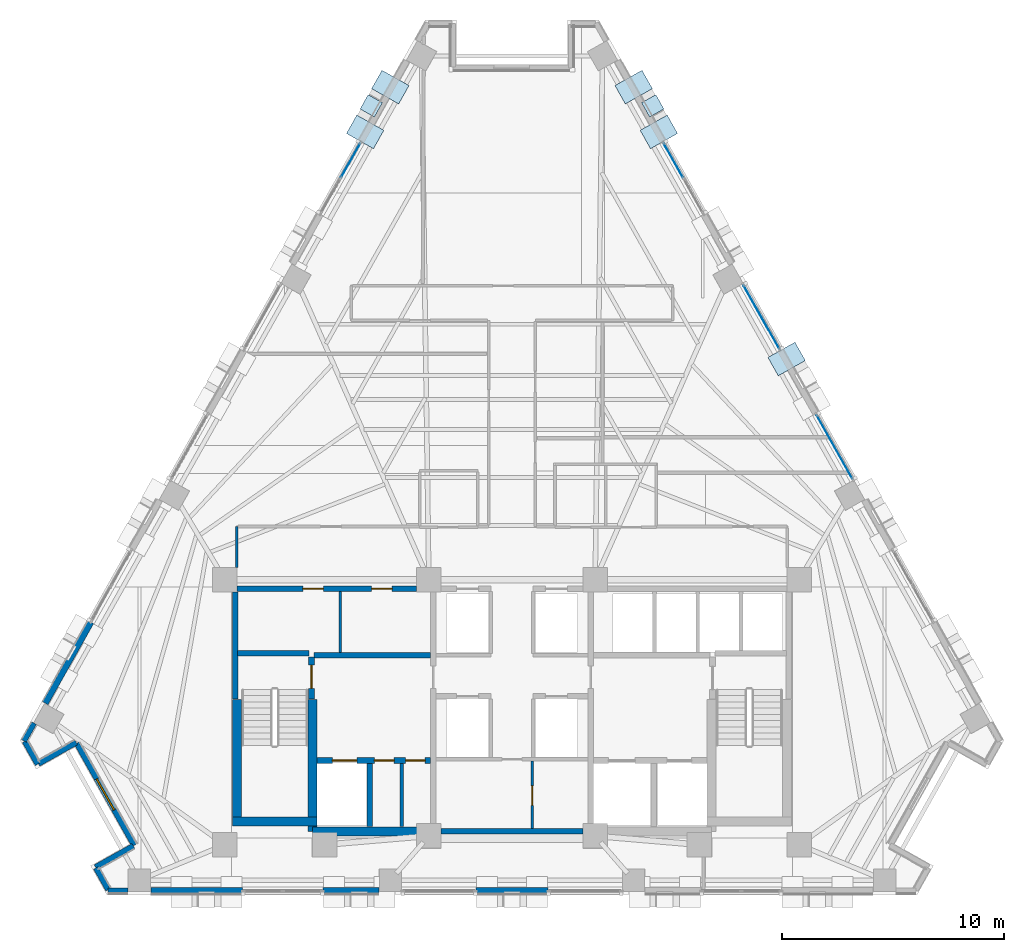
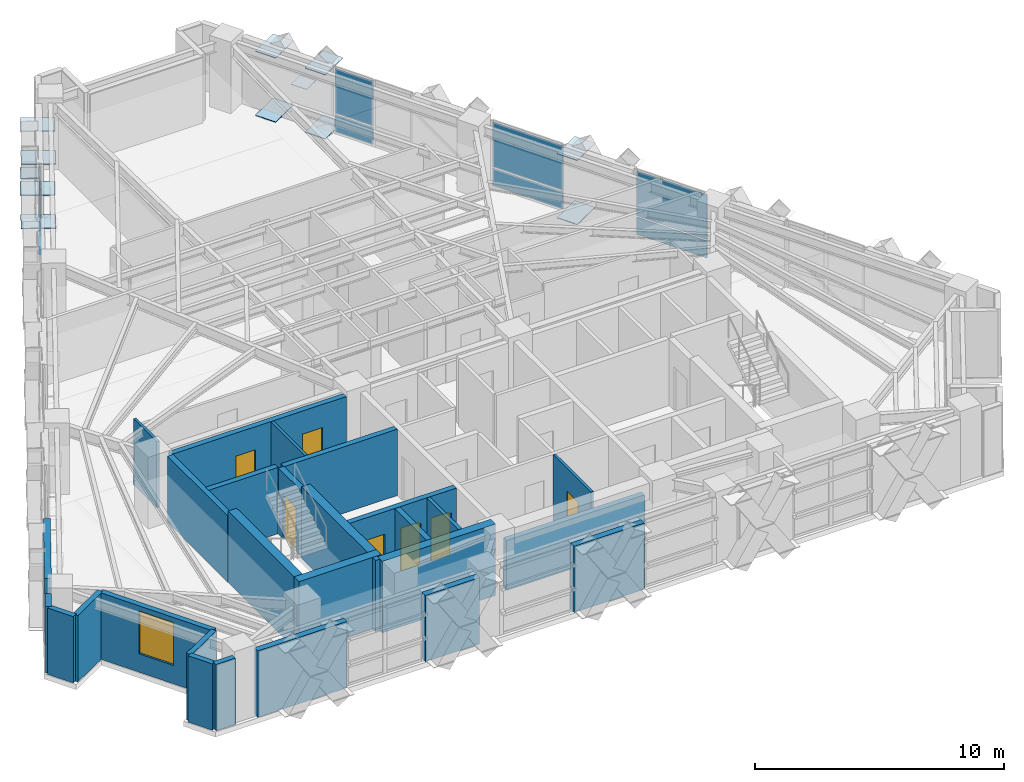
# One storey, part 7 of 14: 27 walls, 20 plates, 7 doors, 1 window, 8 openings, 4 elements without a shape of their own.
"""IFC4 building model written with IfcOpenShell, lengths in metres."""

from ifc_helpers import new_model, si_unit, direction, frame, frame_2d, origin, origin_2d, place, context, subcontext, project, spatial, rectangle, extrude, material, layer, layer_set, type_object, element, fill, aggregate, save


model = new_model("IFC4")

# Units and contexts
model_context = context("Model", 3, precision=1e-05, world=origin(), true_north=direction((0.0, 1.0)))
body_context = subcontext(model_context, "Body", "Model", "MODEL_VIEW")
ifc_project = project(units=[si_unit("LENGTHUNIT", "METRE"), si_unit("AREAUNIT", "SQUARE_METRE"), si_unit("VOLUMEUNIT", "CUBIC_METRE"), si_unit("PLANEANGLEUNIT", "RADIAN"), si_unit("MASSUNIT", "GRAM", prefix="KILO")], contexts=[model_context])

# Site, building, storey
site_placement = place(None, origin())
site = spatial("IfcSite", under=ifc_project, at=site_placement, CompositionType="ELEMENT")
building_placement = place(site_placement, origin())
building = spatial("IfcBuilding", under=site, at=building_placement, Name="Quenlor Broadcast Tower", CompositionType="ELEMENT")
storey_placement = place(building_placement, frame((0.0, 0.0, 165.0)))
storey = spatial("IfcBuildingStorey", under=building, at=storey_placement, Name="L45", CompositionType="ELEMENT", Elevation=165.0)

# Curtain wall, plates
ifc_material_1 = material(Name="Architectural Terracotta and Low-E Glazing", Category="masonry")
curtain_wall_type = type_object("IfcCurtainWallType", Name="Unitised Terracotta Curtain Wall System Z3", PredefinedType="NOTDEFINED", material=ifc_material_1)
curtain_wall_1_placement = place(storey_placement, origin())
curtain_wall_1 = element("IfcCurtainWall", 1, at=curtain_wall_1_placement, inside=storey, type_object=curtain_wall_type, Name="L45 Curtain Wall CW3 (L45-NEA-G1)", PredefinedType="NOTDEFINED")
ifc_material_2 = material(Name="Double Glazed Low-E Solar Glass", Category="glass")
ifc_layer_1 = layer(ifc_material_2, 0.028076171875)
ifc_layer_set_1 = layer_set([ifc_layer_1], Name="CW3 Double Glazed Vision Panel 28")
plate_type_1 = type_object("IfcPlateType", Name="CW3 Double Glazed Vision Panel 28", PredefinedType="CURTAIN_PANEL", material=ifc_layer_set_1)
plate_1_placement = place(storey_placement, frame((7.2763671875, 14.107421875, 0.06982421875), z_axis=(0.0, 0.0, 1.0), x_axis=(0.490270139949, -0.871570530637, 0.0)))
plate_1 = element("IfcPlate", 2, at=plate_1_placement, type_object=plate_type_1, Name="CW3 panel 1.1", PredefinedType="CURTAIN_PANEL", context=body_context, shape_type="SweptSolid", body=[
    extrude(rectangle(XDim=1.761962890625, YDim=0.028076171875, at=origin_2d()), origin(), (0.0, 0.0, 1.0), 0.844970703125),
])
plate_2_placement = place(storey_placement, frame((7.2763671875, 14.107421875, 0.98486328125), z_axis=(0.0, 0.0, 1.0), x_axis=(0.490270139949, -0.871570530637, 0.0)))
plate_2 = element("IfcPlate", 3, at=plate_2_placement, type_object=plate_type_1, Name="CW3 panel 1.2", PredefinedType="CURTAIN_PANEL", context=body_context, shape_type="SweptSolid", body=[
    extrude(rectangle(XDim=1.761962890625, YDim=0.028076171875, at=origin_2d()), origin(), (0.0, 0.0, 1.0), 2.195068359375),
])
aggregate(curtain_wall_1, [plate_1, plate_2])

curtain_wall_2_placement = place(storey_placement, origin())
curtain_wall_2 = element("IfcCurtainWall", 4, at=curtain_wall_2_placement, inside=storey, type_object=curtain_wall_type, Name="L45 Curtain Wall CW3 (L45-NE-G1)", PredefinedType="NOTDEFINED")
plate_3_placement = place(storey_placement, frame((11.250244140625, 7.04248046875, 0.06982421875), z_axis=(0.0, 0.0, 1.0), x_axis=(0.490255687418, -0.871578660222, 0.0)))
plate_3 = element("IfcPlate", 5, at=plate_3_placement, type_object=plate_type_1, Name="CW3 panel 1.1", PredefinedType="CURTAIN_PANEL", context=body_context, shape_type="SweptSolid", body=[
    extrude(rectangle(XDim=3.280517578125, YDim=0.028076171875, at=origin_2d()), origin(), (0.0, 0.0, 1.0), 0.844970703125),
])
plate_4_placement = place(storey_placement, frame((11.250244140625, 7.04248046875, 0.98486328125), z_axis=(0.0, 0.0, 1.0), x_axis=(0.490255687418, -0.871578660222, 0.0)))
plate_4 = element("IfcPlate", 6, at=plate_4_placement, type_object=plate_type_1, Name="CW3 panel 1.2", PredefinedType="CURTAIN_PANEL", context=body_context, shape_type="SweptSolid", body=[
    extrude(rectangle(XDim=3.280517578125, YDim=0.028076171875, at=origin_2d()), origin(), (0.0, 0.0, 1.0), 2.195068359375),
])
aggregate(curtain_wall_2, [plate_3, plate_4])

curtain_wall_3_placement = place(storey_placement, origin())
curtain_wall_3 = element("IfcCurtainWall", 7, at=curtain_wall_3_placement, inside=storey, type_object=curtain_wall_type, Name="L45 Curtain Wall CW3 (L45-NE-G2)", PredefinedType="NOTDEFINED")
plate_5_placement = place(storey_placement, frame((14.544677734375, 1.18603515625, 0.06982421875), z_axis=(0.0, 0.0, 1.0), x_axis=(0.490268180048, -0.871571633105, 0.0)))
plate_5 = element("IfcPlate", 8, at=plate_5_placement, type_object=plate_type_1, Name="CW3 panel 1.1", PredefinedType="CURTAIN_PANEL", context=body_context, shape_type="SweptSolid", body=[
    extrude(rectangle(XDim=3.2802734375, YDim=0.028076171875, at=origin_2d()), origin(), (0.0, 0.0, 1.0), 0.844970703125),
])
plate_6_placement = place(storey_placement, frame((14.544677734375, 1.18603515625, 0.98486328125), z_axis=(0.0, 0.0, 1.0), x_axis=(0.490268180048, -0.871571633105, 0.0)))
plate_6 = element("IfcPlate", 9, at=plate_6_placement, type_object=plate_type_1, Name="CW3 panel 1.2", PredefinedType="CURTAIN_PANEL", context=body_context, shape_type="SweptSolid", body=[
    extrude(rectangle(XDim=3.2802734375, YDim=0.028076171875, at=origin_2d()), origin(), (0.0, 0.0, 1.0), 2.195068359375),
])
aggregate(curtain_wall_3, [plate_5, plate_6])

curtain_wall_4_placement = place(storey_placement, origin())
curtain_wall_4 = element("IfcCurtainWall", 10, at=curtain_wall_4_placement, inside=storey, type_object=curtain_wall_type, Name="L45 Curtain Wall CW3 (L45-NWC-G1)", PredefinedType="NOTDEFINED")
plate_7_placement = place(storey_placement, frame((-7.2763671875, 14.107421875, 0.06982421875), z_axis=(0.0, 0.0, 1.0), x_axis=(0.490270139949, 0.871570530637, 0.0)))
plate_7 = element("IfcPlate", 11, at=plate_7_placement, type_object=plate_type_1, Name="CW3 panel 2.1", PredefinedType="CURTAIN_PANEL", context=body_context, shape_type="SweptSolid", body=[
    extrude(rectangle(XDim=1.761962890625, YDim=0.028076171875, at=origin_2d()), origin(), (0.0, 0.0, 1.0), 0.844970703125),
])
plate_8_placement = place(storey_placement, frame((-7.2763671875, 14.107421875, 0.98486328125), z_axis=(0.0, 0.0, 1.0), x_axis=(0.490270139949, 0.871570530637, 0.0)))
plate_8 = element("IfcPlate", 12, at=plate_8_placement, type_object=plate_type_1, Name="CW3 panel 2.2", PredefinedType="CURTAIN_PANEL", context=body_context, shape_type="SweptSolid", body=[
    extrude(rectangle(XDim=1.761962890625, YDim=0.028076171875, at=origin_2d()), origin(), (0.0, 0.0, 1.0), 2.195068359375),
])
aggregate(curtain_wall_4, [plate_7, plate_8])

# Plates
ifc_material_3 = material(Name="Steel S355", Category="steel")
ifc_layer_2 = layer(ifc_material_3, 0.028076171875)
ifc_layer_set_2 = layer_set([ifc_layer_2], Name="Perimeter Lattice Node Steel S355 Cap Plate 740x740x28")
plate_type_2 = type_object("IfcPlateType", Name="Perimeter Lattice Node Steel S355 Cap Plate 740x740x28", PredefinedType="USERDEFINED", material=ifc_layer_set_2)
for number, where, z_axis, x_axis, name in (
    (13, (6.345703125, 16.567626953125, 1.61572265625), (0.0, 0.0, 1.0), (0.490295412055, -0.871556314255, 0.0), "L45 Diamond Lattice Crossing Node NE-C1"),
    (14, (-6.345703125, 16.567626953125, 1.61572265625), (0.0, 0.0, 1.0), (0.490295412055, 0.871556314255, 0.0), "L45 Diamond Lattice Crossing Node NW-C5"),
):
    element("IfcPlate", number, at=place(storey_placement, frame(where, z_axis=z_axis, x_axis=x_axis)), inside=storey, type_object=plate_type_2, Name=name, ObjectType="CAP PLATE", PredefinedType="USERDEFINED", context=body_context, shape_type="SweptSolid", body=[
        extrude(rectangle(XDim=0.739990234375, YDim=0.739990234375, at=origin_2d()), origin(), (0.0, 0.0, 1.0), 0.028076171875),
    ])
ifc_material_4 = material(Name="Steel S355", Category="steel")
ifc_layer_3 = layer(ifc_material_4, 0.035888671875)
ifc_layer_set_3 = layer_set([ifc_layer_3], Name="Transfer Truss Steel S355 Gusset Node Plate 1400x950x36")
plate_type_3 = type_object("IfcPlateType", Name="Transfer Truss Steel S355 Gusset Node Plate 1400x950x36", PredefinedType="SHEET", material=ifc_layer_set_3)
for number, where, z_axis, x_axis, name in (
    (15, (5.48583984375, 17.412841796875, 0.0419921875), (0.0, 0.0, 1.0), (0.871556314255, 0.490295412055, 0.0), "L45 Lattice Tie Gusset Node NE-B1"),
    (16, (6.621337890625, 15.39404296875, 3.18212890625), (0.0, 0.0, 1.0), (0.871556314255, 0.490295412055, 0.0), "L45 Lattice Tie Gusset Node NE-T2"),
    (17, (6.621337890625, 15.39404296875, 0.0419921875), (0.0, 0.0, 1.0), (0.871556314255, 0.490295412055, 0.0), "L45 Lattice Tie Gusset Node NE-B2"),
    (18, (5.48583984375, 17.412841796875, 3.18212890625), (0.0, 0.0, 1.0), (0.871556314255, 0.490295412055, 0.0), "L45 Lattice Tie Gusset Node NE-T1"),
    (19, (12.382080078125, 5.153076171875, 0.0419921875), (0.0, 0.0, 1.0), (0.871556314255, 0.490295412055, 0.0), "L45 Lattice Tie Gusset Node NE-B7"),
    (20, (12.382080078125, 5.153076171875, 3.18212890625), (0.0, 0.0, 1.0), (0.871556314255, 0.490295412055, 0.0), "L45 Lattice Tie Gusset Node NE-T7"),
    (21, (-6.621337890625, 15.39404296875, 0.0419921875), (0.0, 0.0, 1.0), (-0.871556314255, 0.490295412055, 0.0), "L45 Lattice Tie Gusset Node NW-B13"),
    (22, (-5.48583984375, 17.412841796875, 3.18212890625), (0.0, 0.0, 1.0), (-0.871556314255, 0.490295412055, 0.0), "L45 Lattice Tie Gusset Node NW-T14"),
    (23, (-5.48583984375, 17.412841796875, 0.0419921875), (0.0, 0.0, 1.0), (-0.871556314255, 0.490295412055, 0.0), "L45 Lattice Tie Gusset Node NW-B14"),
    (24, (-6.621337890625, 15.39404296875, 3.18212890625), (0.0, 0.0, 1.0), (-0.871556314255, 0.490295412055, 0.0), "L45 Lattice Tie Gusset Node NW-T13"),
):
    element("IfcPlate", number, at=place(storey_placement, frame(where, z_axis=z_axis, x_axis=x_axis)), inside=storey, type_object=plate_type_3, Name=name, PredefinedType="SHEET", context=body_context, shape_type="SweptSolid", body=[
        extrude(rectangle(XDim=1.39990234375, YDim=0.949951171875, at=origin_2d()), origin(), (0.0, 0.0, 1.0), 0.035888671875),
    ])

# Walls
ifc_material_5 = material(Name="Concrete C50/60", Category="concrete")
ifc_layer_4 = layer(ifc_material_5, 0.39990234375)
ifc_layer_set_4 = layer_set([ifc_layer_4], Name="Core Concrete C50/60 Shear Wall 400")
wall_type_1 = type_object("IfcWallType", Name="Core Concrete C50/60 Shear Wall 400", PredefinedType="SHEAR", material=ifc_layer_set_4)
wall_1_placement = place(storey_placement, frame((-12.60009765625, -15.699951171875, 0.0), z_axis=(0.0, 0.0, 1.0), x_axis=(1.0, 0.0, 0.0)))
element("IfcWall", 25, at=wall_1_placement, inside=storey, type_object=wall_type_1, Name="L45 Core Shear Wall WS-W1", PredefinedType="SHEAR", context=body_context, shape_type="SweptSolid", body=[
    extrude(rectangle(XDim=3.800048828125, YDim=0.39990234375, at=frame_2d((1.89990234375, 0.0))), origin(), (0.0, 0.0, 1.0), 3.5),
])
wall_2_placement = place(storey_placement, frame((-9.0, -16.14990234375, 0.0), z_axis=(0.0, 0.0, 1.0), x_axis=(1.0, 0.0, 0.0)))
element("IfcWall", 26, at=wall_2_placement, inside=storey, type_object=wall_type_1, Name="L45 Core Shear Wall WS-W2", PredefinedType="SHEAR", context=body_context, shape_type="SweptSolid", body=[
    extrude(rectangle(XDim=5.25, YDim=0.39990234375, at=frame_2d((2.625, 0.0))), origin(), (0.0, 0.0, 1.0), 3.5),
])
wall_3_placement = place(storey_placement, frame((-12.39990234375, -15.699951171875, 0.0), z_axis=(0.0, 0.0, 1.0), x_axis=(0.0, 1.0, 0.0)))
element("IfcWall", 27, at=wall_3_placement, inside=storey, type_object=wall_type_1, Name="L45 Core Shear Wall WF-W", PredefinedType="SHEAR", context=body_context, shape_type="SweptSolid", body=[
    extrude(rectangle(XDim=5.5, YDim=0.39990234375, at=frame_2d((2.75, 0.0))), origin(), (0.0, 0.0, 1.0), 3.5),
])
wall_4_placement = place(storey_placement, frame((-9.0, -16.14990234375, 0.0), z_axis=(0.0, 0.0, 1.0), x_axis=(0.0, 1.0, 0.0)))
element("IfcWall", 28, at=wall_4_placement, inside=storey, type_object=wall_type_1, Name="L45 Core Shear Wall WI-W", PredefinedType="SHEAR", context=body_context, shape_type="SweptSolid", body=[
    extrude(rectangle(XDim=5.949951171875, YDim=0.39990234375, at=frame_2d((2.97509765625, 0.0))), origin(), (0.0, 0.0, 1.0), 3.5),
])

# Wall, opening, door
ifc_material_6 = material(Name="Concrete C40/50", Category="concrete")
ifc_layer_5 = layer(ifc_material_6, 0.25)
ifc_layer_set_5 = layer_set([ifc_layer_5], Name="Fire Rated Concrete C40/50 Core Wall 250")
wall_type_2 = type_object("IfcWallType", Name="Fire Rated Concrete C40/50 Core Wall 250", PredefinedType="PARTITIONING", material=ifc_layer_set_5)
wall_5_placement = place(storey_placement, frame((-9.0400390625, -10.179931640625, 0.0), z_axis=(0.0, 0.0, 1.0), x_axis=(0.0, 1.0, 0.0)))
wall_5 = element("IfcWall", 29, at=wall_5_placement, inside=storey, type_object=wall_type_2, Name="L45 Interior Wall CW-ST1-DR", PredefinedType="PARTITIONING", context=body_context, shape_type="SweptSolid", body=[
    extrude(rectangle(XDim=1.89990234375, YDim=0.25, at=frame_2d((0.949951171875, 0.0))), origin(), (0.0, 0.0, 1.0), 3.25),
])
opening_1_placement = place(wall_5_placement, frame((0.47998046875, 0.0, 0.0)))
opening_1 = element("IfcOpeningElement", 30, at=opening_1_placement, cuts=wall_5, Name="Opening FD-1", PredefinedType="OPENING", context=body_context, shape_type="SweptSolid", body=[
    extrude(rectangle(XDim=1.050048828125, YDim=2.14990234375, at=frame_2d((0.52490234375, 1.074951171875))), frame((0.0, 0.135009765625, 0.0), z_axis=(0.0, -1.0, 0.0), x_axis=(1.0, 0.0, 0.0)), (0.0, 0.0, 1.0), 0.27001953125),
])
ifc_material_7 = material(Name="Fire Rated Steel Door Leaf", Category="steel")
door_type_1 = type_object("IfcDoorType", Name="Fire Isolated Stair Door 1050x2150", OperationType="NOTDEFINED", PredefinedType="DOOR", material=ifc_material_7)
door_1_placement = place(opening_1_placement, origin())
door_1 = element("IfcDoor", 31, at=door_1_placement, inside=storey, type_object=door_type_1, Name="L45 Door DR-ST1", OperationType="SINGLE_SWING_LEFT", OverallHeight=2.14990234375, OverallWidth=1.050048828125, PredefinedType="DOOR", context=body_context, shape_type="SweptSolid", body=[
    extrude(rectangle(XDim=1.050048828125, YDim=2.14990234375, at=frame_2d((0.52490234375, 1.074951171875))), frame((0.0, 0.02490234375, 0.0), z_axis=(0.0, -1.0, 0.0), x_axis=(1.0, 0.0, 0.0)), (0.0, 0.0, 1.0), 0.050048828125),
])
fill(opening_1, door_1)

# Walls
wall_6_placement = place(storey_placement, frame((-12.3798828125, -8.1201171875, 0.0), z_axis=(0.0, 0.0, 1.0), x_axis=(1.0, 0.0, 0.0)))
element("IfcWall", 32, at=wall_6_placement, inside=storey, type_object=wall_type_2, Name="L45 Interior Wall CW-ST1-N", PredefinedType="PARTITIONING", context=body_context, shape_type="SweptSolid", body=[
    extrude(rectangle(XDim=3.219970703125, YDim=0.25, at=frame_2d((1.60986328125, 0.0))), origin(), (0.0, 0.0, 1.0), 3.25),
])
wall_7_placement = place(storey_placement, frame((-12.47998046875, -10.179931640625, 0.0), z_axis=(0.0, 0.0, 1.0), x_axis=(0.0, 1.0, 0.0)))
element("IfcWall", 33, at=wall_7_placement, inside=storey, type_object=wall_type_2, Name="L45 Interior Wall CW-ST1-W2", PredefinedType="PARTITIONING", context=body_context, shape_type="SweptSolid", body=[
    extrude(rectangle(XDim=4.827880859375, YDim=0.25, at=frame_2d((2.4140625, 0.0))), origin(), (0.0, 0.0, 1.0), 3.25),
])

# Wall, openings, doors
wall_8_placement = place(storey_placement, frame((-8.798095703125, -12.949951171875, 0.0), z_axis=(0.0, 0.0, 1.0), x_axis=(1.0, 0.0, 0.0)))
wall_8 = element("IfcWall", 34, at=wall_8_placement, inside=storey, type_object=wall_type_2, Name="L45 Interior Wall CW-FFW-S", PredefinedType="PARTITIONING", context=body_context, shape_type="SweptSolid", body=[
    extrude(rectangle(XDim=5.1181640625, YDim=0.25, at=frame_2d((2.55908203125, 0.0))), origin(), (0.0, 0.0, 1.0), 3.25),
])
opening_2_placement = place(wall_8_placement, frame((0.697998046875, 0.0, 0.0)))
opening_2 = element("IfcOpeningElement", 35, at=opening_2_placement, cuts=wall_8, Name="Opening LD-FFL-1", PredefinedType="OPENING", context=body_context, shape_type="SweptSolid", body=[
    extrude(rectangle(XDim=1.10009765625, YDim=2.14990234375, at=frame_2d((0.550048828125, 1.074951171875))), frame((0.0, 0.135009765625, 0.0), z_axis=(0.0, -1.0, 0.0), x_axis=(1.0, 0.0, 0.0)), (0.0, 0.0, 1.0), 0.27001953125),
])
opening_3_placement = place(wall_8_placement, frame((2.597900390625, 0.0, 0.0)))
opening_3 = element("IfcOpeningElement", 36, at=opening_3_placement, cuts=wall_8, Name="Opening TD-1", PredefinedType="OPENING", context=body_context, shape_type="SweptSolid", body=[
    extrude(rectangle(XDim=0.8798828125, YDim=2.10009765625, at=frame_2d((0.43994140625, 1.050048828125))), frame((0.0, 0.135009765625, 0.0), z_axis=(0.0, -1.0, 0.0), x_axis=(1.0, 0.0, 0.0)), (0.0, 0.0, 1.0), 0.27001953125),
])
opening_4_placement = place(wall_8_placement, frame((3.998046875, 0.0, 0.0)))
opening_4 = element("IfcOpeningElement", 37, at=opening_4_placement, cuts=wall_8, Name="Opening TD-1", PredefinedType="OPENING", context=body_context, shape_type="SweptSolid", body=[
    extrude(rectangle(XDim=0.8798828125, YDim=2.10009765625, at=frame_2d((0.43994140625, 1.050048828125))), frame((0.0, 0.135009765625, 0.0), z_axis=(0.0, -1.0, 0.0), x_axis=(1.0, 0.0, 0.0)), (0.0, 0.0, 1.0), 0.27001953125),
])
ifc_material_8 = material(Name="Brushed Stainless Steel", Category="steel")
door_type_2 = type_object("IfcDoorType", Name="Emergency Lift Sliding Landing Door 1100x2150", OperationType="NOTDEFINED", PredefinedType="DOOR", material=ifc_material_8)
door_2_placement = place(opening_2_placement, origin())
door_2 = element("IfcDoor", 38, at=door_2_placement, inside=storey, type_object=door_type_2, Name="L45 Door LD-FFL-1", OperationType="SLIDING_TO_LEFT", OverallHeight=2.14990234375, OverallWidth=1.10009765625, PredefinedType="DOOR", context=body_context, shape_type="SweptSolid", body=[
    extrude(rectangle(XDim=1.10009765625, YDim=2.14990234375, at=frame_2d((0.550048828125, 1.074951171875))), frame((0.0, 0.02490234375, 0.0), z_axis=(0.0, -1.0, 0.0), x_axis=(1.0, 0.0, 0.0)), (0.0, 0.0, 1.0), 0.050048828125),
])
fill(opening_2, door_2)
ifc_material_9 = material(Name="Fire Rated Steel Access Panel", Category="steel")
door_type_3 = type_object("IfcDoorType", Name="Riser Shaft Rated Access Trapdoor 880x2100", OperationType="NOTDEFINED", PredefinedType="TRAPDOOR", material=ifc_material_9)
door_3_placement = place(opening_3_placement, origin())
door_3 = element("IfcDoor", 39, at=door_3_placement, inside=storey, type_object=door_type_3, Name="L45 Door DR-ELR", OperationType="SINGLE_SWING_LEFT", OverallHeight=2.10009765625, OverallWidth=0.8798828125, PredefinedType="TRAPDOOR", context=body_context, shape_type="SweptSolid", body=[
    extrude(rectangle(XDim=0.8798828125, YDim=2.10009765625, at=frame_2d((0.43994140625, 1.050048828125))), frame((0.0, 0.02490234375, 0.0), z_axis=(0.0, -1.0, 0.0), x_axis=(1.0, 0.0, 0.0)), (0.0, 0.0, 1.0), 0.050048828125),
])
fill(opening_3, door_3)
door_4_placement = place(opening_4_placement, origin())
door_4 = element("IfcDoor", 40, at=door_4_placement, inside=storey, type_object=door_type_3, Name="L45 Door DR-CMR", OperationType="SINGLE_SWING_RIGHT", OverallHeight=2.10009765625, OverallWidth=0.8798828125, PredefinedType="TRAPDOOR", context=body_context, shape_type="SweptSolid", body=[
    extrude(rectangle(XDim=0.8798828125, YDim=2.10009765625, at=frame_2d((0.43994140625, 1.050048828125))), frame((0.0, 0.02490234375, 0.0), z_axis=(0.0, -1.0, 0.0), x_axis=(1.0, 0.0, 0.0)), (0.0, 0.0, 1.0), 0.050048828125),
])
fill(opening_4, door_4)

# Walls
wall_9_placement = place(storey_placement, frame((-6.419921875, -15.919921875, 0.0), z_axis=(0.0, 0.0, 1.0), x_axis=(0.0, 1.0, 0.0)))
element("IfcWall", 41, at=wall_9_placement, inside=storey, type_object=wall_type_2, Name="L45 Interior Wall CW-FF1-E", PredefinedType="PARTITIONING", context=body_context, shape_type="SweptSolid", body=[
    extrude(rectangle(XDim=2.829833984375, YDim=0.25, at=frame_2d((1.4150390625, 0.0))), origin(), (0.0, 0.0, 1.0), 3.25),
])
wall_10_placement = place(storey_placement, frame((-8.919921875, -8.199951171875, 0.0), z_axis=(0.0, 0.0, 1.0), x_axis=(1.0, 0.0, 0.0)))
element("IfcWall", 42, at=wall_10_placement, inside=storey, type_object=wall_type_2, Name="L45 Interior Wall CW-FFW-N", PredefinedType="PARTITIONING", context=body_context, shape_type="SweptSolid", body=[
    extrude(rectangle(XDim=5.239990234375, YDim=0.25, at=frame_2d((2.6201171875, 0.0))), origin(), (0.0, 0.0, 1.0), 3.25),
])

# Wall, openings, doors
wall_11_placement = place(storey_placement, frame((-12.39794921875, -5.199951171875, 0.0), z_axis=(0.0, 0.0, 1.0), x_axis=(1.0, 0.0, 0.0)))
wall_11 = element("IfcWall", 43, at=wall_11_placement, inside=storey, type_object=wall_type_2, Name="L45 Interior Wall CW-N-W", PredefinedType="PARTITIONING", context=body_context, shape_type="SweptSolid", body=[
    extrude(rectangle(XDim=8.095947265625, YDim=0.25, at=frame_2d((4.0478515625, 0.0))), origin(), (0.0, 0.0, 1.0), 3.25),
])
opening_5_placement = place(wall_11_placement, frame((2.968017578125, 0.0, 0.0)))
opening_5 = element("IfcOpeningElement", 44, at=opening_5_placement, cuts=wall_11, Name="Opening ID-1", PredefinedType="OPENING", context=body_context, shape_type="SweptSolid", body=[
    extrude(rectangle(XDim=0.919921875, YDim=2.1201171875, at=frame_2d((0.4599609375, 1.06005859375))), frame((0.0, 0.135009765625, 0.0), z_axis=(0.0, -1.0, 0.0), x_axis=(1.0, 0.0, 0.0)), (0.0, 0.0, 1.0), 0.27001953125),
])
opening_6_placement = place(wall_11_placement, frame((6.068115234375, 0.0, 0.0)))
opening_6 = element("IfcOpeningElement", 45, at=opening_6_placement, cuts=wall_11, Name="Opening ID-1", PredefinedType="OPENING", context=body_context, shape_type="SweptSolid", body=[
    extrude(rectangle(XDim=0.919921875, YDim=2.1201171875, at=frame_2d((0.4599609375, 1.06005859375))), frame((0.0, 0.135009765625, 0.0), z_axis=(0.0, -1.0, 0.0), x_axis=(1.0, 0.0, 0.0)), (0.0, 0.0, 1.0), 0.27001953125),
])
ifc_material_10 = material(Name="Solid Core Timber Oak", Category="wood")
door_type_4 = type_object("IfcDoorType", Name="Single Leaf Timber Office Door 920x2120", OperationType="NOTDEFINED", PredefinedType="DOOR", material=ifc_material_10)
door_5_placement = place(opening_5_placement, origin())
door_5 = element("IfcDoor", 46, at=door_5_placement, inside=storey, type_object=door_type_4, Name="L45 Door DR-RCL1", OperationType="SINGLE_SWING_LEFT", OverallHeight=2.1201171875, OverallWidth=0.919921875, PredefinedType="DOOR", context=body_context, shape_type="SweptSolid", body=[
    extrude(rectangle(XDim=0.919921875, YDim=2.1201171875, at=frame_2d((0.4599609375, 1.06005859375))), frame((0.0, 0.02490234375, 0.0), z_axis=(0.0, -1.0, 0.0), x_axis=(1.0, 0.0, 0.0)), (0.0, 0.0, 1.0), 0.050048828125),
])
fill(opening_5, door_5)
door_6_placement = place(opening_6_placement, origin())
door_6 = element("IfcDoor", 47, at=door_6_placement, inside=storey, type_object=door_type_4, Name="L45 Door DR-RCL2", OperationType="SINGLE_SWING_RIGHT", OverallHeight=2.1201171875, OverallWidth=0.919921875, PredefinedType="DOOR", context=body_context, shape_type="SweptSolid", body=[
    extrude(rectangle(XDim=0.919921875, YDim=2.1201171875, at=frame_2d((0.4599609375, 1.06005859375))), frame((0.0, 0.02490234375, 0.0), z_axis=(0.0, -1.0, 0.0), x_axis=(1.0, 0.0, 0.0)), (0.0, 0.0, 1.0), 0.050048828125),
])
fill(opening_6, door_6)

# Walls
wall_12_placement = place(storey_placement, frame((-3.197998046875, -16.14990234375, 0.0), z_axis=(0.0, 0.0, 1.0), x_axis=(1.0, 0.0, 0.0)))
element("IfcWall", 48, at=wall_12_placement, inside=storey, type_object=wall_type_2, Name="L45 Interior Wall CW-MS-S", PredefinedType="PARTITIONING", context=body_context, shape_type="SweptSolid", body=[
    extrude(rectangle(XDim=6.39599609375, YDim=0.25, at=frame_2d((3.197998046875, 0.0))), origin(), (0.0, 0.0, 1.0), 2.449951171875),
])
ifc_material_11 = material(Name="Gypsum Fireboard Partition", Category="other")
ifc_layer_6 = layer(ifc_material_11, 0.159912109375)
ifc_layer_set_6 = layer_set([ifc_layer_6], Name="Fire Rated Shaft and Corridor Partition 160")
wall_type_3 = type_object("IfcWallType", Name="Fire Rated Shaft and Corridor Partition 160", PredefinedType="PARTITIONING", material=ifc_layer_set_6)
wall_13_placement = place(storey_placement, frame((-4.97998046875, -15.919921875, 0.0), z_axis=(0.0, 0.0, 1.0), x_axis=(0.0, 1.0, 0.0)))
element("IfcWall", 49, at=wall_13_placement, inside=storey, type_object=wall_type_3, Name="L45 Interior Wall CW-ELR-E", PredefinedType="PARTITIONING", context=body_context, shape_type="SweptSolid", body=[
    extrude(rectangle(XDim=2.829833984375, YDim=0.159912109375, at=frame_2d((1.4150390625, 0.0))), origin(), (0.0, 0.0, 1.0), 3.25),
])
ifc_material_12 = material(Name="Gypsum Plasterboard Partition", Category="other")
ifc_layer_7 = layer(ifc_material_12, 0.1201171875)
ifc_layer_set_7 = layer_set([ifc_layer_7], Name="Standard Office Partition 120")
wall_type_4 = type_object("IfcWallType", Name="Standard Office Partition 120", PredefinedType="PARTITIONING", material=ifc_layer_set_7)
wall_14_placement = place(storey_placement, frame((-7.75, -8.072998046875, 0.0), z_axis=(0.0, 0.0, 1.0), x_axis=(0.0, 1.0, 0.0)))
element("IfcWall", 50, at=wall_14_placement, inside=storey, type_object=wall_type_4, Name="L45 Interior Wall CW-RCL-MID", PredefinedType="PARTITIONING", context=body_context, shape_type="SweptSolid", body=[
    extrude(rectangle(XDim=2.73291015625, YDim=0.1201171875, at=frame_2d((1.366455078125, 0.0))), origin(), (0.0, 0.0, 1.0), 3.25),
])

# Wall, opening, door
wall_15_placement = place(storey_placement, frame((0.909912109375, -16.02001953125, 0.0), z_axis=(0.0, 0.0, 1.0), x_axis=(0.0, 1.0, 0.0)))
wall_15 = element("IfcWall", 51, at=wall_15_placement, inside=storey, type_object=wall_type_4, Name="L45 Interior Wall CW-CSV-E2", PredefinedType="PARTITIONING", context=body_context, shape_type="SweptSolid", body=[
    extrude(rectangle(XDim=3.0380859375, YDim=0.1201171875, at=frame_2d((1.51904296875, 0.0))), origin(), (0.0, 0.0, 1.0), 3.25),
])
opening_7_placement = place(wall_15_placement, frame((1.050048828125, 0.0, 0.0)))
opening_7 = element("IfcOpeningElement", 52, at=opening_7_placement, cuts=wall_15, Name="Opening ID-4", PredefinedType="OPENING", context=body_context, shape_type="SweptSolid", body=[
    extrude(rectangle(XDim=0.8798828125, YDim=2.1201171875, at=frame_2d((0.43994140625, 1.06005859375))), frame((0.0, 0.070068359375, 0.0), z_axis=(0.0, -1.0, 0.0), x_axis=(1.0, 0.0, 0.0)), (0.0, 0.0, 1.0), 0.14013671875),
])
ifc_material_13 = material(Name="Solid Core Timber Oak", Category="wood")
door_type_5 = type_object("IfcDoorType", Name="Service Closet Timber Door 880x2120", OperationType="NOTDEFINED", PredefinedType="DOOR", material=ifc_material_13)
door_7_placement = place(opening_7_placement, origin())
door_7 = element("IfcDoor", 53, at=door_7_placement, inside=storey, type_object=door_type_5, Name="L45 Door DR-CSV2", OperationType="SINGLE_SWING_RIGHT", OverallHeight=2.1201171875, OverallWidth=0.8798828125, PredefinedType="DOOR", context=body_context, shape_type="SweptSolid", body=[
    extrude(rectangle(XDim=0.8798828125, YDim=2.1201171875, at=frame_2d((0.43994140625, 1.06005859375))), frame((0.0, 0.02490234375, 0.0), z_axis=(0.0, -1.0, 0.0), x_axis=(1.0, 0.0, 0.0)), (0.0, 0.0, 1.0), 0.050048828125),
])
fill(opening_7, door_7)

# Walls
wall_16_placement = place(storey_placement, frame((-12.409912109375, -4.248046875, 0.0), z_axis=(0.0, 0.0, 1.0), x_axis=(0.0, 1.0, 0.0)))
element("IfcWall", 54, at=wall_16_placement, inside=storey, type_object=wall_type_4, Name="L45 Interior Wall PW-CR-01", PredefinedType="PARTITIONING", context=body_context, shape_type="SweptSolid", body=[
    extrude(rectangle(XDim=1.84814453125, YDim=0.1201171875, at=frame_2d((0.924072265625, 0.0))), origin(), (0.0, 0.0, 1.0), 3.25),
])
ifc_material_14 = material(Name="Precast concrete C40/50", Category="concrete")
ifc_layer_8 = layer(ifc_material_14, 0.239990234375)
ifc_layer_set_8 = layer_set([ifc_layer_8], Name="Terrace Threshold Precast Concrete C40/50 Wall 240")
wall_type_5 = type_object("IfcWallType", Name="Terrace Threshold Precast Concrete C40/50 Wall 240", PredefinedType="STANDARD", material=ifc_layer_set_8)
wall_17_placement = place(storey_placement, frame((-17.3134765625, -18.824951171875, 0.0), z_axis=(0.0, 0.0, 1.0), x_axis=(-1.0, 0.0, 0.0)))
element("IfcWall", 55, at=wall_17_placement, inside=storey, type_object=wall_type_5, Name="L45 Exterior Wall L45-SHD-SS1", PredefinedType="STANDARD", context=body_context, shape_type="SweptSolid", body=[
    extrude(rectangle(XDim=0.896484375, YDim=0.239990234375, at=frame_2d((0.4482421875, 0.0))), origin(), (0.0, 0.0, 1.0), 3.25),
])
wall_18_placement = place(storey_placement, frame((-22.003173828125, -12.073486328125, 0.0), z_axis=(0.0, 0.0, 1.0), x_axis=(0.490248718924, 0.871582579905, 0.0)))
element("IfcWall", 56, at=wall_18_placement, inside=storey, type_object=wall_type_5, Name="L45 Exterior Wall L45-SHD-NWS0", PredefinedType="STANDARD", context=body_context, shape_type="SweptSolid", body=[
    extrude(rectangle(XDim=0.92578125, YDim=0.239990234375, at=frame_2d((0.462890625, 0.0))), origin(), (0.0, 0.0, 1.0), 3.25),
])
wall_19_placement = place(storey_placement, frame((-21.976806640625, -12.08349609375, 0.0), z_axis=(0.0, 0.0, 1.0), x_axis=(0.490154352582, -0.871635652463, 0.0)))
element("IfcWall", 57, at=wall_19_placement, inside=storey, type_object=wall_type_5, Name="L45 Exterior Wall L45-CNR-12", PredefinedType="STANDARD", context=body_context, shape_type="SweptSolid", body=[
    extrude(rectangle(XDim=1.19287109375, YDim=0.239990234375, at=frame_2d((0.596435546875, 0.0))), origin(), (0.0, 0.0, 1.0), 3.25),
])
wall_20_placement = place(storey_placement, frame((-21.357421875, -13.103515625, 0.0), z_axis=(0.0, 0.0, 1.0), x_axis=(0.871595493845, 0.490225759328, 0.0)))
element("IfcWall", 58, at=wall_20_placement, inside=storey, type_object=wall_type_5, Name="L45 Exterior Wall L45-CNR-13", PredefinedType="STANDARD", context=body_context, shape_type="SweptSolid", body=[
    extrude(rectangle(XDim=1.960205078125, YDim=0.239990234375, at=frame_2d((0.97998046875, 0.0))), origin(), (0.0, 0.0, 1.0), 3.25),
])

# Wall, opening, window
wall_21_placement = place(storey_placement, frame((-19.62939453125, -12.177490234375, 0.0), z_axis=(0.0, 0.0, 1.0), x_axis=(0.490276606961, -0.871566892824, 0.0)))
wall_21 = element("IfcWall", 59, at=wall_21_placement, inside=storey, type_object=wall_type_5, Name="L45 Exterior Wall L45-CNR-14", PredefinedType="STANDARD", context=body_context, shape_type="SweptSolid", body=[
    extrude(rectangle(XDim=5.280029296875, YDim=0.239990234375, at=frame_2d((2.64013671875, 0.0))), origin(), (0.0, 0.0, 1.0), 3.25),
])
opening_8_placement = place(wall_21_placement, frame((1.840087890625, 0.0, 0.89990234375)))
opening_8 = element("IfcOpeningElement", 60, at=opening_8_placement, cuts=wall_21, Name="Opening WN-2", PredefinedType="OPENING", context=body_context, shape_type="SweptSolid", body=[
    extrude(rectangle(XDim=1.60009765625, YDim=2.10009765625, at=frame_2d((0.800048828125, 1.050048828125))), frame((0.0, 0.1298828125, 0.0), z_axis=(0.0, -1.0, 0.0), x_axis=(1.0, 0.0, 0.0)), (0.0, 0.0, 1.0), 0.260009765625),
])
ifc_material_15 = material(Name="Thermally Broken Aluminium and Low-E Glass", Category="aluminium")
window_type = type_object("IfcWindowType", Name="Tower Studio Punched Window 1600x2100", PartitioningType="SINGLE_PANEL", PredefinedType="WINDOW", material=ifc_material_15)
window_placement = place(opening_8_placement, origin())
window = element("IfcWindow", 61, at=window_placement, inside=storey, type_object=window_type, Name="L45 Corner Chamfer Window 14", OverallHeight=2.10009765625, OverallWidth=1.60009765625, PartitioningType="SINGLE_PANEL", PredefinedType="WINDOW", context=body_context, shape_type="SweptSolid", body=[
    extrude(rectangle(XDim=1.60009765625, YDim=2.10009765625, at=frame_2d((0.800048828125, 1.050048828125))), frame((0.0, 0.030029296875, 0.0), z_axis=(0.0, -1.0, 0.0), x_axis=(1.0, 0.0, 0.0)), (0.0, 0.0, 1.0), 0.06005859375),
])
fill(opening_8, window)

# Walls
wall_22_placement = place(storey_placement, frame((-17.07568359375, -16.799072265625, 0.0), z_axis=(0.0, 0.0, 1.0), x_axis=(-0.871565557139, -0.490278981406, 0.0)))
element("IfcWall", 62, at=wall_22_placement, inside=storey, type_object=wall_type_5, Name="L45 Exterior Wall L45-CNR-15", PredefinedType="STANDARD", context=body_context, shape_type="SweptSolid", body=[
    extrude(rectangle(XDim=1.9599609375, YDim=0.239990234375, at=frame_2d((0.97998046875, 0.0))), origin(), (0.0, 0.0, 1.0), 3.25),
])
wall_23_placement = place(storey_placement, frame((-18.764404296875, -17.794921875, 0.0), z_axis=(0.0, 0.0, 1.0), x_axis=(0.490353621339, -0.871523565969, 0.0)))
element("IfcWall", 63, at=wall_23_placement, inside=storey, type_object=wall_type_5, Name="L45 Exterior Wall L45-CNR-16", PredefinedType="STANDARD", context=body_context, shape_type="SweptSolid", body=[
    extrude(rectangle(XDim=1.129150390625, YDim=0.239990234375, at=frame_2d((0.564453125, 0.0))), origin(), (0.0, 0.0, 1.0), 3.25),
])
ifc_material_16 = material(Name="Precast concrete C40/50", Category="concrete")
ifc_layer_9 = layer(ifc_material_16, 0.280029296875)
ifc_layer_set_9 = layer_set([ifc_layer_9], Name="Terracotta Precast Concrete C40/50 Facade Wall 280")
wall_type_6 = type_object("IfcWallType", Name="Terracotta Precast Concrete C40/50 Facade Wall 280", PredefinedType="STANDARD", material=ifc_layer_set_9)
wall_24_placement = place(storey_placement, frame((-6.006103515625, -18.824951171875, 0.0), z_axis=(0.0, 0.0, 1.0), x_axis=(-1.0, 0.0, 0.0)))
element("IfcWall", 64, at=wall_24_placement, inside=storey, type_object=wall_type_6, Name="L45 Exterior Wall L45-SC-SP1", PredefinedType="STANDARD", context=body_context, shape_type="SweptSolid", body=[
    extrude(rectangle(XDim=2.5087890625, YDim=0.280029296875, at=frame_2d((1.25439453125, 0.0))), origin(), (0.0, 0.0, 1.0), 3.25),
])
wall_25_placement = place(storey_placement, frame((-12.14892578125, -18.824951171875, 0.0), z_axis=(0.0, 0.0, 1.0), x_axis=(-1.0, 0.0, 0.0)))
element("IfcWall", 65, at=wall_25_placement, inside=storey, type_object=wall_type_6, Name="L45 Exterior Wall L45-SC-SP2", PredefinedType="STANDARD", context=body_context, shape_type="SweptSolid", body=[
    extrude(rectangle(XDim=4.134521484375, YDim=0.280029296875, at=frame_2d((2.0673828125, 0.0))), origin(), (0.0, 0.0, 1.0), 3.25),
])
wall_26_placement = place(storey_placement, frame((1.626953125, -18.824951171875, 0.0), z_axis=(0.0, 0.0, 1.0), x_axis=(-1.0, 0.0, 0.0)))
element("IfcWall", 66, at=wall_26_placement, inside=storey, type_object=wall_type_6, Name="L45 Exterior Wall L45-S-SP1", PredefinedType="STANDARD", context=body_context, shape_type="SweptSolid", body=[
    extrude(rectangle(XDim=3.25390625, YDim=0.280029296875, at=frame_2d((1.626953125, 0.0))), origin(), (0.0, 0.0, 1.0), 3.25),
])
wall_27_placement = place(storey_placement, frame((-21.044189453125, -10.368896484375, 0.0), z_axis=(0.0, 0.0, 1.0), x_axis=(0.490230882965, 0.871592612054, 0.0)))
element("IfcWall", 67, at=wall_27_placement, inside=storey, type_object=wall_type_6, Name="L45 Exterior Wall L45-NWA-SP1", PredefinedType="STANDARD", context=body_context, shape_type="SweptSolid", body=[
    extrude(rectangle(XDim=4.2001953125, YDim=0.280029296875, at=frame_2d((2.10009765625, 0.0))), origin(), (0.0, 0.0, 1.0), 3.25),
])

save(model, "model.ifc")
